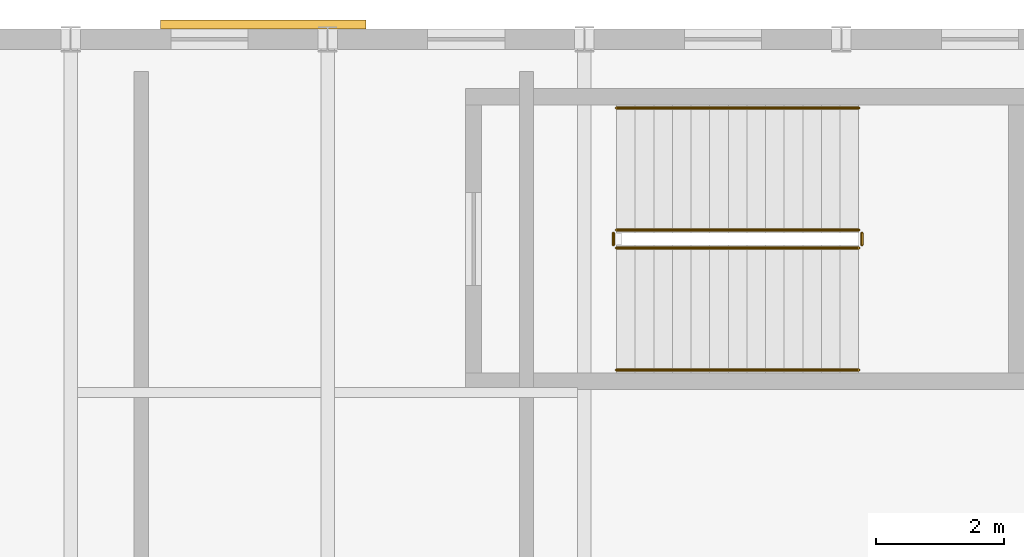
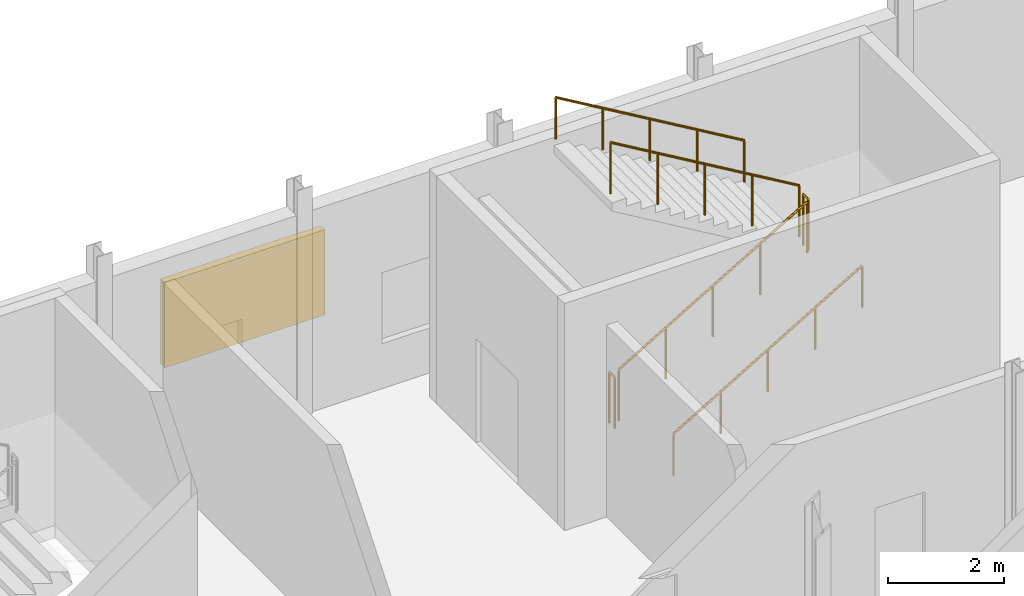
# One storey, part 100 of 101: 6 railings, 1 shading device.
"""IFC4 building model written with IfcOpenShell, lengths in metres."""

from ifc_helpers import new_model, si_unit, derived_unit, direction, frame, origin, origin_2d, place, context, subcontext, project, spatial, rectangle, circle, extrude, material, type_object, element, save


model = new_model("IFC4")

# Units and contexts
model_context = context("Model", 3, precision=1e-05, world=origin(), true_north=direction((0.0, 1.0)))
body_context = subcontext(model_context, "Body", "Model", "MODEL_VIEW")
ifc_project = project(units=[si_unit("LENGTHUNIT", "METRE"), si_unit("AREAUNIT", "SQUARE_METRE"), si_unit("VOLUMEUNIT", "CUBIC_METRE"), si_unit("PLANEANGLEUNIT", "RADIAN"), si_unit("MASSUNIT", "GRAM", prefix="KILO"), derived_unit("THERMALTRANSMITTANCEUNIT", [(si_unit("POWERUNIT", "WATT"), 1), (si_unit("LENGTHUNIT", "METRE"), -2), (si_unit("THERMODYNAMICTEMPERATUREUNIT", "KELVIN"), -1)])], contexts=[model_context])

# Site, building, storey
site_placement = place(None, origin())
site = spatial("IfcSite", under=ifc_project, at=site_placement, CompositionType="ELEMENT")
building_placement = place(site_placement, origin())
building = spatial("IfcBuilding", under=site, at=building_placement, Name="Keldorne Ridge Multi-Sports Centre", CompositionType="ELEMENT")
storey_placement = place(building_placement, origin())
storey = spatial("IfcBuildingStorey", under=building, at=storey_placement, Name="L00", CompositionType="ELEMENT", Elevation=0.0)

# Railings
ifc_material_1 = material(Name="Laminated glass and stainless steel", Category="steel")
railing_type_1 = type_object("IfcRailingType", Name="RLG-BL-01", PredefinedType="BALUSTRADE", material=ifc_material_1)
railing_1_placement = place(storey_placement, frame((144.5, 113.75, 0.17138671875)))
element("IfcRailing", 1, at=railing_1_placement, inside=storey, type_object=railing_type_1, Name="L00 ST-03 stair guard 1", PredefinedType="BALUSTRADE", context=body_context, shape_type="SweptSolid", body=[
    extrude(circle(Radius=0.02392578125, at=origin_2d()), frame((0.0, 0.0, 1.076171875), z_axis=(0.860848830602, 0.0, 0.508860777473), x_axis=(0.0, 1.0, 0.0)), (0.0, 0.0, 1.0), 4.37939453125),
    extrude(circle(Radius=0.02099609375, at=origin_2d()), origin(), (0.0, 0.0, 1.0), 1.052001953125),
    extrude(circle(Radius=0.02099609375, at=origin_2d()), frame((0.9423828125, 0.0, 0.55712890625)), (0.0, 0.0, 1.0), 1.052001953125),
    extrude(circle(Radius=0.02099609375, at=origin_2d()), frame((1.885009765625, 0.0, 1.1142578125)), (0.0, 0.0, 1.0), 1.052001953125),
    extrude(circle(Radius=0.02099609375, at=origin_2d()), frame((2.82763671875, 0.0, 1.67138671875)), (0.0, 0.0, 1.0), 1.052001953125),
    extrude(circle(Radius=0.02099609375, at=origin_2d()), frame((3.77001953125, 0.0, 2.228515625)), (0.0, 0.0, 1.0), 1.052001953125),
])
railing_2_placement = place(storey_placement, frame((148.320068359375, 113.800048828125, 2.39990234375)))
element("IfcRailing", 2, at=railing_2_placement, inside=storey, type_object=railing_type_1, Name="L00 ST-03 stair guard 2", PredefinedType="BALUSTRADE", context=body_context, shape_type="SweptSolid", body=[
    extrude(circle(Radius=0.02392578125, at=origin_2d()), frame((0.0, 0.0, 1.076171875), z_axis=(0.0, 1.0, 0.0), x_axis=(-1.0, 0.0, 0.0)), (0.0, 0.0, 1.0), 0.179931640625),
    extrude(circle(Radius=0.02099609375, at=origin_2d()), origin(), (0.0, 0.0, 1.0), 1.052001953125),
    extrude(circle(Radius=0.02099609375, at=origin_2d()), frame((0.0, 0.179931640625, 0.0)), (0.0, 0.0, 1.0), 1.052001953125),
])
railing_3_placement = place(storey_placement, frame((148.27001953125, 114.030029296875, 2.571533203125)))
element("IfcRailing", 3, at=railing_3_placement, inside=storey, type_object=railing_type_1, Name="L00 ST-03 stair guard 3", PredefinedType="BALUSTRADE", context=body_context, shape_type="SweptSolid", body=[
    extrude(circle(Radius=0.02392578125, at=origin_2d()), frame((0.0, 0.0, 1.076171875), z_axis=(-0.860848830602, 0.0, 0.508860777473), x_axis=(0.0, -1.0, 0.0)), (0.0, 0.0, 1.0), 4.37939453125),
    extrude(circle(Radius=0.02099609375, at=origin_2d()), origin(), (0.0, 0.0, 1.0), 1.052001953125),
    extrude(circle(Radius=0.02099609375, at=origin_2d()), frame((-0.9423828125, 0.0, 0.55712890625)), (0.0, 0.0, 1.0), 1.052001953125),
    extrude(circle(Radius=0.02099609375, at=origin_2d()), frame((-1.885009765625, 0.0, 1.1142578125)), (0.0, 0.0, 1.0), 1.052001953125),
    extrude(circle(Radius=0.02099609375, at=origin_2d()), frame((-2.82763671875, 0.0, 1.67138671875)), (0.0, 0.0, 1.0), 1.052001953125),
    extrude(circle(Radius=0.02099609375, at=origin_2d()), frame((-3.77001953125, 0.0, 2.228515625)), (0.0, 0.0, 1.0), 1.052001953125),
])
railing_4_placement = place(storey_placement, frame((144.449951171875, 113.800048828125, 0.0)))
element("IfcRailing", 4, at=railing_4_placement, inside=storey, type_object=railing_type_1, Name="L00 ST-03 stair guard 4", PredefinedType="BALUSTRADE", context=body_context, shape_type="SweptSolid", body=[
    extrude(circle(Radius=0.02392578125, at=origin_2d()), frame((0.0, 0.0, 1.076171875), z_axis=(0.0, 1.0, 0.0), x_axis=(-1.0, 0.0, 0.0)), (0.0, 0.0, 1.0), 0.179931640625),
    extrude(circle(Radius=0.02099609375, at=origin_2d()), origin(), (0.0, 0.0, 1.0), 1.052001953125),
    extrude(circle(Radius=0.02099609375, at=origin_2d()), frame((0.0, 0.179931640625, 0.0)), (0.0, 0.0, 1.0), 1.052001953125),
])
ifc_material_2 = material(Name="Stainless steel", Category="steel")
railing_type_2 = type_object("IfcRailingType", Name="RLG-HR-01", PredefinedType="HANDRAIL", material=ifc_material_2)
railing_5_placement = place(storey_placement, frame((144.5, 111.85009765625, 0.17138671875)))
element("IfcRailing", 5, at=railing_5_placement, inside=storey, type_object=railing_type_2, Name="L00 ST-03 stair handrail 1", PredefinedType="HANDRAIL", context=body_context, shape_type="SweptSolid", body=[
    extrude(circle(Radius=0.02392578125, at=origin_2d()), frame((0.0, 0.0, 0.8759765625), z_axis=(0.860848830602, 0.0, 0.508860777473), x_axis=(0.0, 1.0, 0.0)), (0.0, 0.0, 1.0), 4.37939453125),
    extrude(circle(Radius=0.02099609375, at=origin_2d()), origin(), (0.0, 0.0, 1.0), 0.851806640625),
    extrude(circle(Radius=0.02099609375, at=origin_2d()), frame((0.9423828125, 0.0, 0.55712890625)), (0.0, 0.0, 1.0), 0.851806640625),
    extrude(circle(Radius=0.02099609375, at=origin_2d()), frame((1.885009765625, 0.0, 1.1142578125)), (0.0, 0.0, 1.0), 0.851806640625),
    extrude(circle(Radius=0.02099609375, at=origin_2d()), frame((2.82763671875, 0.0, 1.67138671875)), (0.0, 0.0, 1.0), 0.851806640625),
    extrude(circle(Radius=0.02099609375, at=origin_2d()), frame((3.77001953125, 0.0, 2.228515625)), (0.0, 0.0, 1.0), 0.851806640625),
])
railing_6_placement = place(storey_placement, frame((148.27001953125, 115.929931640625, 2.571533203125)))
element("IfcRailing", 6, at=railing_6_placement, inside=storey, type_object=railing_type_2, Name="L00 ST-03 stair handrail 2", PredefinedType="HANDRAIL", context=body_context, shape_type="SweptSolid", body=[
    extrude(circle(Radius=0.02392578125, at=origin_2d()), frame((0.0, 0.0, 0.8759765625), z_axis=(-0.860848830602, 0.0, 0.508860777473), x_axis=(0.0, -1.0, 0.0)), (0.0, 0.0, 1.0), 4.37939453125),
    extrude(circle(Radius=0.02099609375, at=origin_2d()), origin(), (0.0, 0.0, 1.0), 0.851806640625),
    extrude(circle(Radius=0.02099609375, at=origin_2d()), frame((-0.9423828125, 0.0, 0.55712890625)), (0.0, 0.0, 1.0), 0.851806640625),
    extrude(circle(Radius=0.02099609375, at=origin_2d()), frame((-1.885009765625, 0.0, 1.1142578125)), (0.0, 0.0, 1.0), 0.851806640625),
    extrude(circle(Radius=0.02099609375, at=origin_2d()), frame((-2.82763671875, 0.0, 1.67138671875)), (0.0, 0.0, 1.0), 0.851806640625),
    extrude(circle(Radius=0.02099609375, at=origin_2d()), frame((-3.77001953125, 0.0, 2.228515625)), (0.0, 0.0, 1.0), 0.851806640625),
])

# Shading device
ifc_material_3 = material(Name="Anodized aluminium", Category="aluminium")
shading_device_type = type_object("IfcShadingDeviceType", Name="SHD-LV-01", PredefinedType="USERDEFINED", material=ifc_material_3)
shading_device_placement = place(storey_placement, frame((139.0, 117.22998046875, 1.7001953125), z_axis=(0.0, 0.0, 1.0), x_axis=(1.0, 0.0, 0.0)))
element("IfcShadingDevice", 7, at=shading_device_placement, inside=storey, type_object=shading_device_type, Name="Acoustic weather louvre LV-06", ObjectType="LOUVRE", PredefinedType="USERDEFINED", context=body_context, shape_type="SweptSolid", body=[
    extrude(rectangle(XDim=3.199951171875, YDim=0.139892578125, at=origin_2d()), origin(), (0.0, 0.0, 1.0), 1.800048828125),
])

save(model, "model.ifc")
